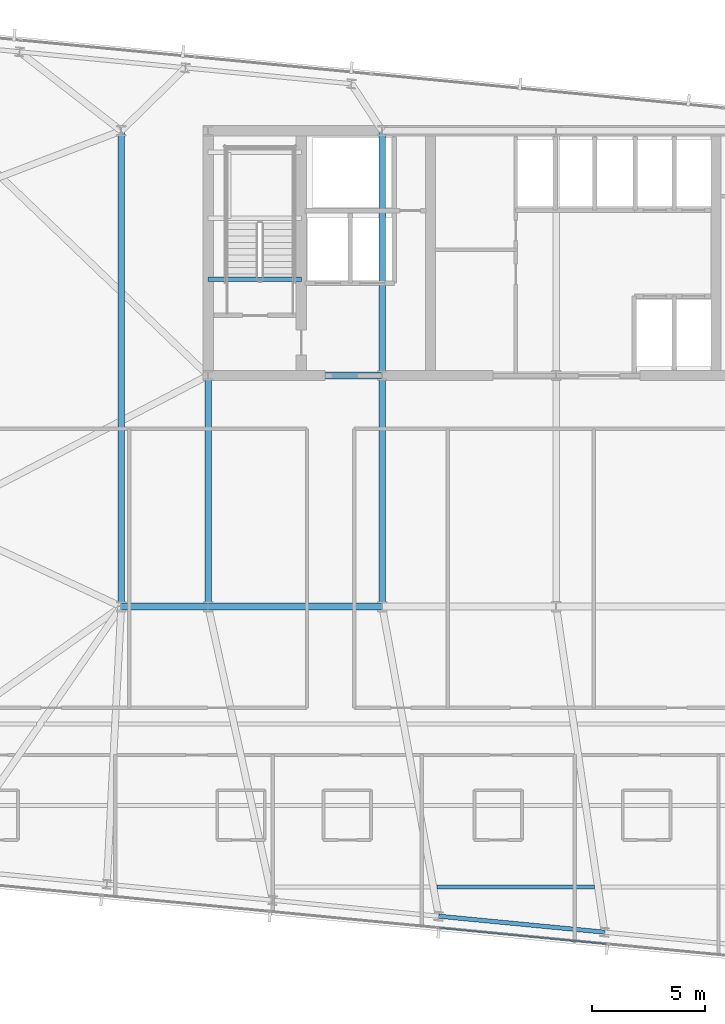
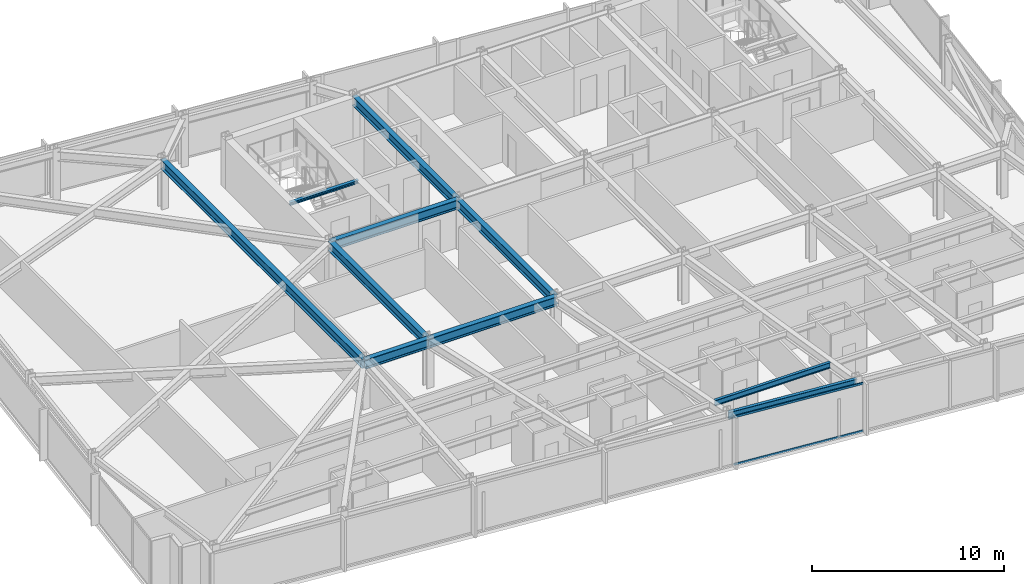
# One storey, part 11 of 36: 10 beams, 2 members, 1 element without a shape of its own.
"""IFC4 building model written with IfcOpenShell, lengths in metres."""

from ifc_helpers import new_model, si_unit, direction, frame, origin, origin_2d, place, context, subcontext, project, spatial, hollow_rectangle, i_section, extrude, material, material_profile, profile_set, type_object, element, aggregate, save


model = new_model("IFC4")

# Units and contexts
model_context = context("Model", 3, precision=1e-05, world=origin(), true_north=direction((0.0, 1.0)))
body_context = subcontext(model_context, "Body", "Model", "MODEL_VIEW")
ifc_project = project(units=[si_unit("LENGTHUNIT", "METRE"), si_unit("AREAUNIT", "SQUARE_METRE"), si_unit("VOLUMEUNIT", "CUBIC_METRE"), si_unit("PLANEANGLEUNIT", "RADIAN"), si_unit("MASSUNIT", "GRAM", prefix="KILO")], contexts=[model_context])

# Site, building, storey
site_placement = place(None, origin())
site = spatial("IfcSite", under=ifc_project, at=site_placement, CompositionType="ELEMENT")
building_placement = place(site_placement, origin())
building = spatial("IfcBuilding", under=site, at=building_placement, Name="Yelkora Congress Tower", CompositionType="ELEMENT")
storey_placement = place(building_placement, frame((0.0, 0.0, 152.300048828125)))
storey = spatial("IfcBuildingStorey", under=building, at=storey_placement, Name="L41", CompositionType="ELEMENT", Elevation=152.300048828125)

# Beams
ifc_material_1 = material(Name="Steel S355J2", Category="steel")
ifc_material_profile_1 = material_profile(ifc_material_1, i_section(OverallWidth=0.300048828125, OverallDepth=0.60009765625, WebThickness=0.015380859375, FlangeThickness=0.030029296875, FilletRadius=0.027099609375, at=origin_2d()), Name="HEB 600")
ifc_profile_set_1 = profile_set([ifc_material_profile_1], Name="Steel S355J2")
beam_type_1 = type_object("IfcBeamType", Name="BM-GIRD-HEB600", PredefinedType="BEAM", material=ifc_profile_set_1)
beam_1_placement = place(storey_placement, frame((19.199951171875, 25.199951171875, 2.780029296875), z_axis=(1.0, 0.0, 0.0), x_axis=(0.0, 1.0, 0.0)))
element("IfcBeam", 1, at=beam_1_placement, inside=storey, type_object=beam_type_1, Name="L41 Spine Grid D Girder 1", PredefinedType="BEAM", context=body_context, shape_type="SweptSolid", body=[
    extrude(i_section(OverallWidth=0.300048828125, OverallDepth=0.60009765625, WebThickness=0.015380859375, FlangeThickness=0.030029296875, FilletRadius=0.027099609375, at=origin_2d()), origin(), (0.0, 0.0, 1.0), 3.840087890625),
])
for number, where, z_axis, x_axis, name in (
    (2, (23.0400390625, 25.199951171875, 2.780029296875), (1.0, 0.0, 0.0), (0.0, 1.0, 0.0), "L41 Spine Grid D Girder 2"),
    (3, (23.0400390625, 35.39990234375, 2.780029296875), (1.0, 0.0, 0.0), (0.0, 1.0, 0.0), "L41 Core South Girder 1"),
):
    element("IfcBeam", number, at=place(storey_placement, frame(where, z_axis=z_axis, x_axis=x_axis)), inside=storey, type_object=beam_type_1, Name=name, PredefinedType="BEAM", context=body_context, shape_type="SweptSolid", body=[
        extrude(i_section(OverallWidth=0.300048828125, OverallDepth=0.60009765625, WebThickness=0.015380859375, FlangeThickness=0.030029296875, FilletRadius=0.027099609375, at=origin_2d()), origin(), (0.0, 0.0, 1.0), 7.679931640625),
    ])
for number, where, z_axis, x_axis, name in (
    (4, (23.0400390625, 25.199951171875, 2.780029296875), (0.0, 1.0, 0.0), (-1.0, 0.0, 0.0), "L41 Core Tie Girder MC-D1"),
    (5, (30.719970703125, 25.199951171875, 2.780029296875), (0.0, 1.0, 0.0), (-1.0, 0.0, 0.0), "L41 Core Tie Girder MC-D2"),
):
    element("IfcBeam", number, at=place(storey_placement, frame(where, z_axis=z_axis, x_axis=x_axis)), inside=storey, type_object=beam_type_1, Name=name, PredefinedType="BEAM", context=body_context, shape_type="SweptSolid", body=[
        extrude(i_section(OverallWidth=0.300048828125, OverallDepth=0.60009765625, WebThickness=0.015380859375, FlangeThickness=0.030029296875, FilletRadius=0.027099609375, at=origin_2d()), origin(), (0.0, 0.0, 1.0), 10.199951171875),
    ])
beam_2_placement = place(storey_placement, frame((30.719970703125, 35.39990234375, 2.780029296875), z_axis=(0.0, 1.0, 0.0), x_axis=(-1.0, 0.0, 0.0)))
element("IfcBeam", 6, at=beam_2_placement, inside=storey, type_object=beam_type_1, Name="L41 Core Tie Girder MC-S2", PredefinedType="BEAM", context=body_context, shape_type="SweptSolid", body=[
    extrude(i_section(OverallWidth=0.300048828125, OverallDepth=0.60009765625, WebThickness=0.015380859375, FlangeThickness=0.030029296875, FilletRadius=0.027099609375, at=origin_2d()), origin(), (0.0, 0.0, 1.0), 10.800048828125),
])
beam_3_placement = place(storey_placement, frame((19.199951171875, 25.199951171875, 2.780029296875), z_axis=(0.0, 1.0, 0.0), x_axis=(-1.0, 0.0, 0.0)))
element("IfcBeam", 7, at=beam_3_placement, inside=storey, type_object=beam_type_1, Name="L41 Neck Flank Girder MC-F1", PredefinedType="BEAM", context=body_context, shape_type="SweptSolid", body=[
    extrude(i_section(OverallWidth=0.300048828125, OverallDepth=0.60009765625, WebThickness=0.015380859375, FlangeThickness=0.030029296875, FilletRadius=0.027099609375, at=origin_2d()), origin(), (0.0, 0.0, 1.0), 21.0),
])
ifc_material_profile_2 = material_profile(ifc_material_1, i_section(OverallWidth=0.169921875, OverallDepth=0.360107421875, WebThickness=0.008056640625, FlangeThickness=0.0126953125, FilletRadius=0.01806640625, at=origin_2d()), Name="IPE 360")
ifc_profile_set_2 = profile_set([ifc_material_profile_2], Name="Steel S355J2")
beam_type_2 = type_object("IfcBeamType", Name="BM-JOIST-IPE360", PredefinedType="JOIST", material=ifc_profile_set_2)
beam_4_placement = place(storey_placement, frame((33.137939453125, 12.8212890625, 2.89990234375), z_axis=(1.0, 0.0, 0.0), x_axis=(0.0, 1.0, 0.0)))
element("IfcBeam", 8, at=beam_4_placement, inside=storey, type_object=beam_type_2, Name="L41 Composite Floor Joist 2", PredefinedType="JOIST", context=body_context, shape_type="SweptSolid", body=[
    extrude(i_section(OverallWidth=0.169921875, OverallDepth=0.360107421875, WebThickness=0.008056640625, FlangeThickness=0.0126953125, FilletRadius=0.01806640625, at=origin_2d()), origin(), (0.0, 0.0, 1.0), 6.94189453125),
])
ifc_material_profile_3 = material_profile(ifc_material_1, i_section(OverallWidth=0.199951171875, OverallDepth=0.18994140625, WebThickness=0.006591796875, FlangeThickness=0.010009765625, FilletRadius=0.01806640625, at=origin_2d()), Name="HEA 200")
ifc_profile_set_3 = profile_set([ifc_material_profile_3], Name="Steel S355J2")
beam_type_3 = type_object("IfcBeamType", Name="BM-LAND-HEA200", PredefinedType="BEAM", material=ifc_profile_set_3)
beam_5_placement = place(storey_placement, frame((23.0400390625, 39.639892578125, 2.853759765625), z_axis=(1.0, 0.0, 0.0), x_axis=(0.0, 1.0, 0.0)))
element("IfcBeam", 9, at=beam_5_placement, inside=storey, type_object=beam_type_3, Name="ST-01 L41 Floor Arrival Stringer Header Beam", PredefinedType="BEAM", context=body_context, shape_type="SweptSolid", body=[
    extrude(i_section(OverallWidth=0.199951171875, OverallDepth=0.18994140625, WebThickness=0.006591796875, FlangeThickness=0.010009765625, FilletRadius=0.01806640625, at=origin_2d()), origin(), (0.0, 0.0, 1.0), 4.10986328125),
])
ifc_material_profile_4 = material_profile(ifc_material_1, i_section(OverallWidth=0.18994140625, OverallDepth=0.449951171875, WebThickness=0.009521484375, FlangeThickness=0.0146484375, FilletRadius=0.02099609375, at=origin_2d()), Name="IPE 450")
ifc_profile_set_4 = profile_set([ifc_material_profile_4], Name="Steel S355J2")
beam_type_4 = type_object("IfcBeamType", Name="BM-SPAN-IPE450", PredefinedType="SPANDREL", material=ifc_profile_set_4)
beam_6_placement = place(storey_placement, frame((33.21240234375, 11.53662109375, 2.85498046875), z_axis=(0.995397104697, -0.095836339457, 0.0), x_axis=(0.095836339457, 0.995397104697, 0.0)))
element("IfcBeam", 10, at=beam_6_placement, inside=storey, type_object=beam_type_4, Name="L41 Perimeter Beam 6", PredefinedType="SPANDREL", context=body_context, shape_type="SweptSolid", body=[
    extrude(i_section(OverallWidth=0.18994140625, OverallDepth=0.449951171875, WebThickness=0.009521484375, FlangeThickness=0.0146484375, FilletRadius=0.02099609375, at=origin_2d()), origin(), (0.0, 0.0, 1.0), 7.357177734375),
])

# Curtain wall, members
ifc_material_2 = material(Name="Anodised aluminium and insulated glass", Category="aluminium")
curtain_wall_type = type_object("IfcCurtainWallType", Name="CW-SYS-B3", PredefinedType="NOTDEFINED", material=ifc_material_2)
curtain_wall_placement = place(storey_placement, origin())
curtain_wall = element("IfcCurtainWall", 11, at=curtain_wall_placement, inside=storey, type_object=curtain_wall_type, Name="L41 Unitised Curtain Wall 20", PredefinedType="NOTDEFINED")
ifc_material_3 = material(Name="Anodised aluminium 6063-T6", Category="aluminium")
ifc_material_profile_5 = material_profile(ifc_material_3, hollow_rectangle(XDim=0.06005859375, YDim=0.1298828125, WallThickness=0.00390625, at=origin_2d()), Name="ALU 60x130x4")
ifc_profile_set_5 = profile_set([ifc_material_profile_5], Name="Anodised aluminium 6063-T6")
member_type = type_object("IfcMemberType", Name="MEM-TR-B3", PredefinedType="USERDEFINED", material=ifc_profile_set_5)
member_1_placement = place(storey_placement, frame((40.626708984375, 10.310302734375, 0.030029296875), z_axis=(-0.99539548672, 0.095853142967, 0.0), x_axis=(-0.095853142967, -0.99539548672, 0.0)))
member_1 = element("IfcMember", 12, at=member_1_placement, type_object=member_type, Name="CW-B3 transom 3.1", ObjectType="TRANSOM", PredefinedType="USERDEFINED", context=body_context, shape_type="SweptSolid", body=[
    extrude(hollow_rectangle(XDim=0.06005859375, YDim=0.1298828125, WallThickness=0.00390625, at=origin_2d()), origin(), (0.0, 0.0, 1.0), 7.404296875),
])
member_2_placement = place(storey_placement, frame((40.626708984375, 10.310302734375, 3.050048828125), z_axis=(-0.99539548672, 0.095853142967, 0.0), x_axis=(-0.095853142967, -0.99539548672, 0.0)))
member_2 = element("IfcMember", 13, at=member_2_placement, type_object=member_type, Name="CW-B3 transom 3.2", ObjectType="TRANSOM", PredefinedType="USERDEFINED", context=body_context, shape_type="SweptSolid", body=[
    extrude(hollow_rectangle(XDim=0.06005859375, YDim=0.1298828125, WallThickness=0.00390625, at=origin_2d()), origin(), (0.0, 0.0, 1.0), 7.404296875),
])
aggregate(curtain_wall, [member_1, member_2])

save(model, "model.ifc")
